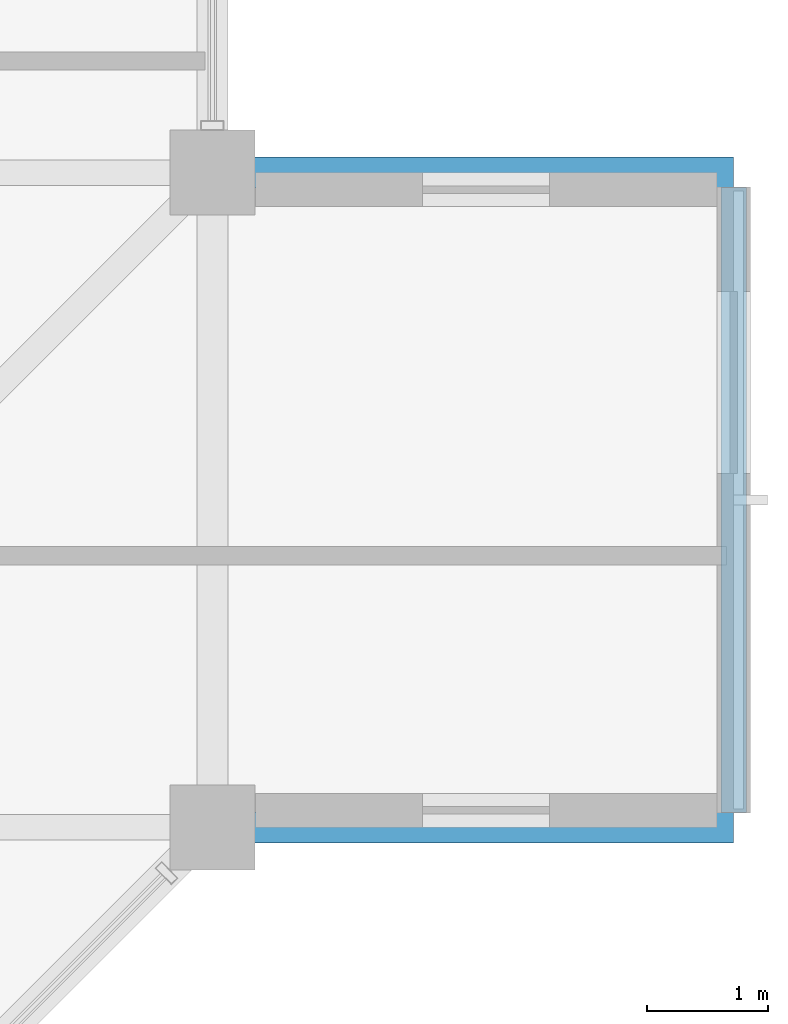
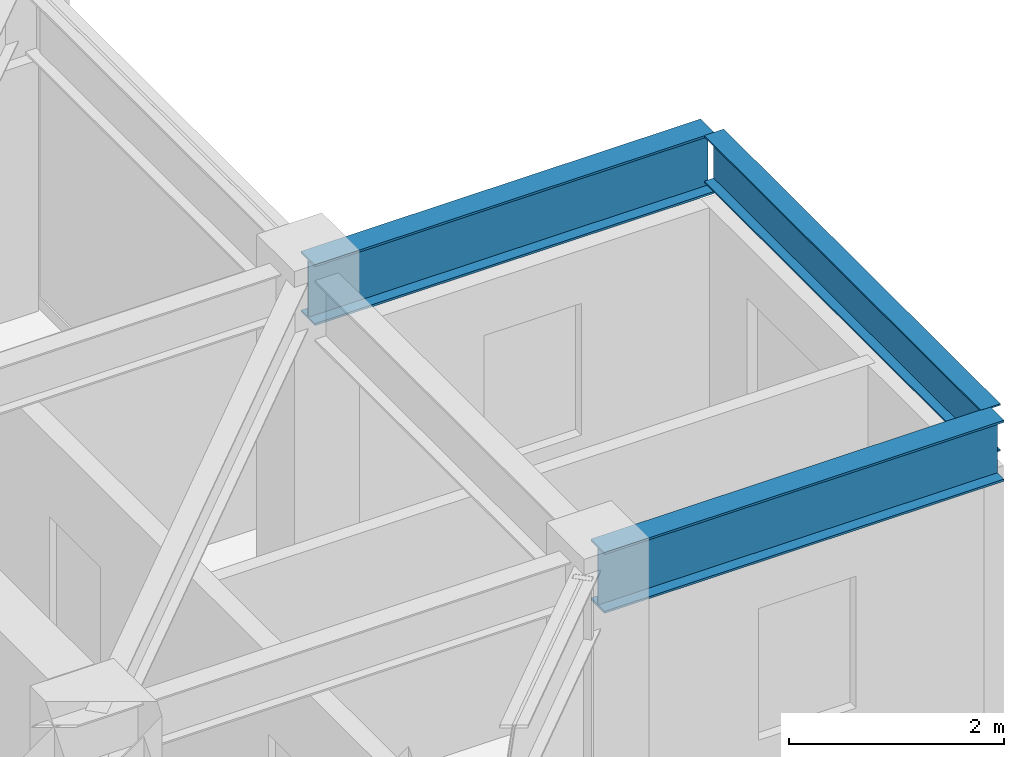
# One storey, part 12 of 31: 3 beams.
"""IFC4 building model written with IfcOpenShell, lengths in metres."""

from ifc_helpers import new_model, si_unit, direction, frame, origin, origin_2d, place, context, subcontext, project, spatial, i_section, extrude, material, material_profile, profile_set, type_object, element, save


model = new_model("IFC4")

# Units and contexts
model_context = context("Model", 3, precision=1e-05, world=origin(), true_north=direction((0.0, 1.0)))
body_context = subcontext(model_context, "Body", "Model", "MODEL_VIEW")
ifc_project = project(units=[si_unit("LENGTHUNIT", "METRE"), si_unit("AREAUNIT", "SQUARE_METRE"), si_unit("VOLUMEUNIT", "CUBIC_METRE"), si_unit("PLANEANGLEUNIT", "RADIAN"), si_unit("MASSUNIT", "GRAM", prefix="KILO")], contexts=[model_context])

# Site, building, storey
site_placement = place(None, origin())
site = spatial("IfcSite", under=ifc_project, at=site_placement, CompositionType="ELEMENT")
building_placement = place(site_placement, origin())
building = spatial("IfcBuilding", under=site, at=building_placement, Name="Surkhivell Harbour Commons", CompositionType="ELEMENT")
storey_placement = place(building_placement, frame((0.0, 0.0, 322.5)))
storey = spatial("IfcBuildingStorey", under=building, at=storey_placement, Name="L84", CompositionType="ELEMENT", Elevation=322.5)

# Beams
ifc_material_1 = material(Name="Steel S460", Category="steel")
ifc_material_profile_1 = material_profile(ifc_material_1, i_section(OverallWidth=0.256103515625, OverallDepth=0.693115234375, WebThickness=0.014404296875, FlangeThickness=0.023681640625, at=origin_2d()), Name="UB686x254x170")
ifc_profile_set_1 = profile_set([ifc_material_profile_1], Name="Steel S460")
beam_type_1 = type_object("IfcBeamType", Name="BM-CNT-686", PredefinedType="BEAM", material=ifc_profile_set_1)
for number, where, z_axis, x_axis, name in (
    (1, (16.199951171875, -5.39990234375, 3.223388671875), (1.0, 0.0, 0.0), (0.0, 1.0, 0.0), "L84 Box Cantilever Outrigger (16.2,-5.4)"),
    (2, (16.199951171875, 0.0, 3.223388671875), (1.0, 0.0, 0.0), (0.0, 1.0, 0.0), "L84 Box Cantilever Outrigger (16.2,0.0)"),
):
    element("IfcBeam", number, at=place(storey_placement, frame(where, z_axis=z_axis, x_axis=x_axis)), inside=storey, type_object=beam_type_1, Name=name, PredefinedType="BEAM", context=body_context, shape_type="SweptSolid", body=[
        extrude(i_section(OverallWidth=0.256103515625, OverallDepth=0.693115234375, WebThickness=0.014404296875, FlangeThickness=0.023681640625, at=origin_2d()), origin(), (0.0, 0.0, 1.0), 4.300048828125),
    ])
ifc_material_2 = material(Name="Steel S355", Category="steel")
ifc_material_profile_2 = material_profile(ifc_material_2, i_section(OverallWidth=0.2099609375, OverallDepth=0.537109375, WebThickness=0.0107421875, FlangeThickness=0.017333984375, at=origin_2d()), Name="UB533x210x101")
ifc_profile_set_2 = profile_set([ifc_material_profile_2], Name="Steel S355")
beam_type_2 = type_object("IfcBeamType", Name="BM-GRD-533B", PredefinedType="BEAM", material=ifc_profile_set_2)
beam_placement = place(storey_placement, frame((20.5, -5.278076171875, 3.301513671875), z_axis=(0.0, 1.0, 0.0), x_axis=(-1.0, 0.0, 0.0)))
element("IfcBeam", 3, at=beam_placement, inside=storey, type_object=beam_type_2, Name="L84 Box Rim Spandrel (20.5,-5.4)", PredefinedType="BEAM", context=body_context, shape_type="SweptSolid", body=[
    extrude(i_section(OverallWidth=0.2099609375, OverallDepth=0.537109375, WebThickness=0.0107421875, FlangeThickness=0.017333984375, at=origin_2d()), origin(), (0.0, 0.0, 1.0), 5.156005859375),
])

save(model, "model.ifc")
